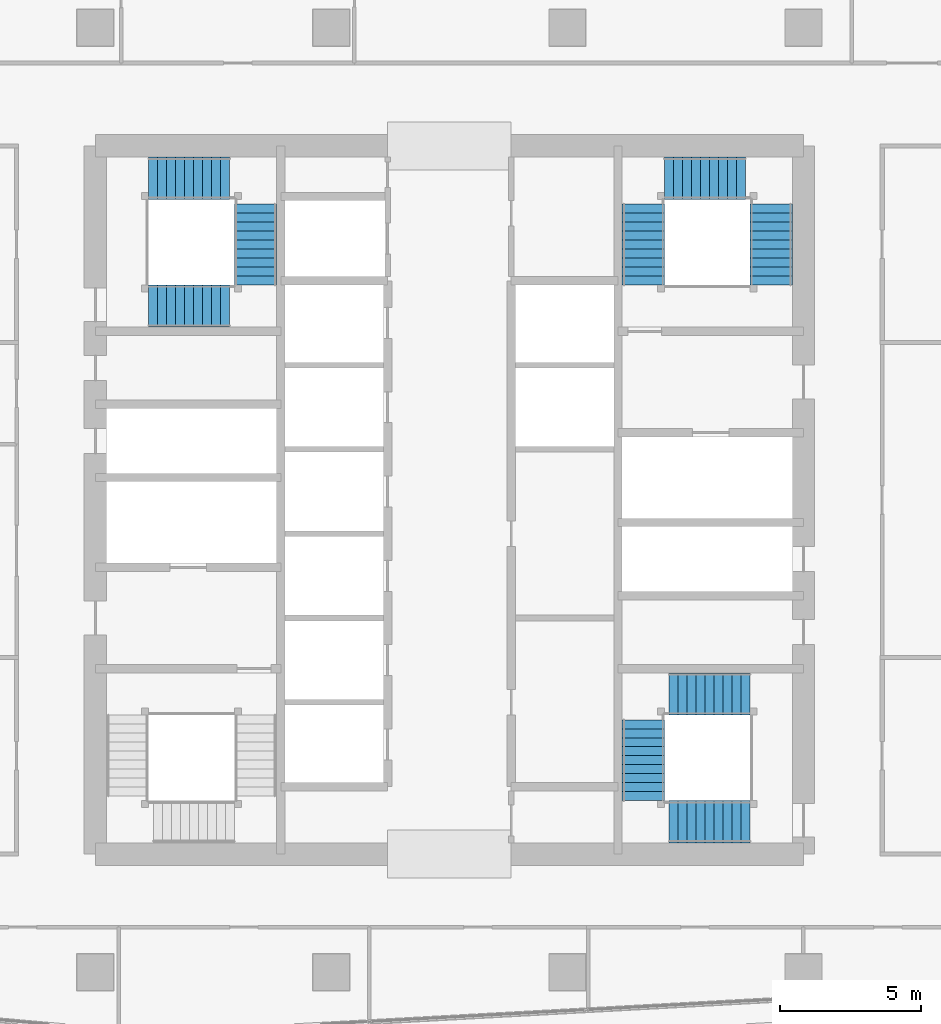
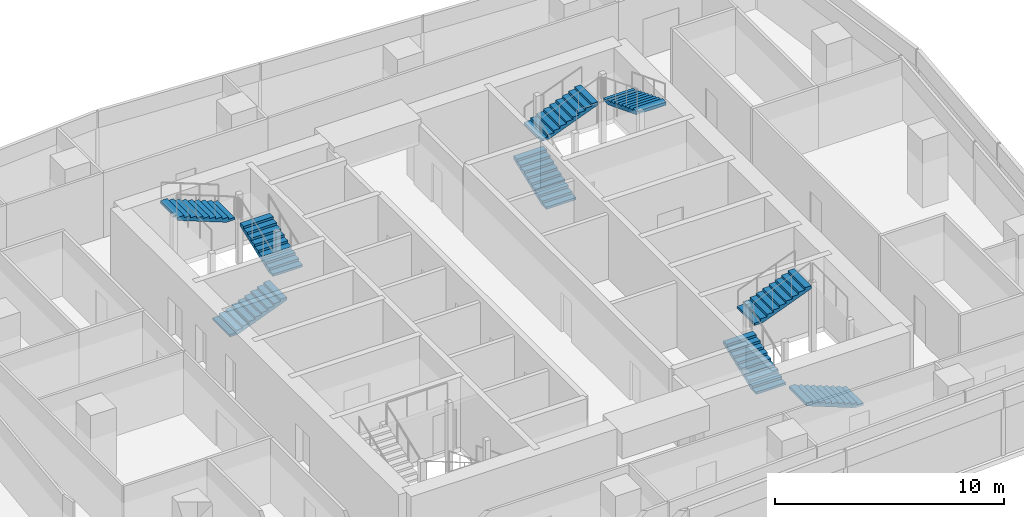
# One storey, part 25 of 30: 9 stair flights, 3 elements without a shape of their own.
"""IFC4 building model written with IfcOpenShell, lengths in metres."""

import ifcopenshell
import ifcopenshell.guid

model = None  # the IFC model being written
_history = None  # IfcOwnerHistory: only IFC2X3 demands one
_inside = {}  # id of a spatial element -> (the spatial element, [elements in it])
_under = {}  # id of a project, library or spatial element -> (it, [spatial elements below it])
_declared = {}  # id of a project -> (the project, [libraries it declares])
_typed = {}  # id of a type object -> (the type object, [elements of that type])
_made_of = {}  # id of a material, layer set ... -> (it, [elements and type objects made of it])


def new_model(schema):
    """Start an empty IFC model of exactly this schema.

    Asked for "IFC4X3", IfcOpenShell would pick the latest addendum, in which some entities
    have other attributes; the version numbers below select the first issue.
    IFC2X3 requires an IfcOwnerHistory on every rooted entity: one is made here for all.
    """
    global model, _history
    if schema == "IFC4X3":
        model = ifcopenshell.file(schema_version=(4, 3, 0, 0))
    else:
        model = ifcopenshell.file(schema=schema)
    _inside.clear()
    _under.clear()
    _declared.clear()
    _typed.clear()
    _made_of.clear()
    _history = None
    if model.schema == "IFC2X3":
        org = make("IfcOrganization", Name="unknown")
        user = make(
            "IfcPersonAndOrganization",
            ThePerson=make("IfcPerson", FamilyName="unknown"),
            TheOrganization=org,
        )
        app = make(
            "IfcApplication",
            ApplicationDeveloper=org,
            Version="unknown",
            ApplicationFullName="unknown",
            ApplicationIdentifier="unknown",
        )
        _history = make(
            "IfcOwnerHistory",
            OwningUser=user,
            OwningApplication=app,
            ChangeAction="ADDED",
            CreationDate=0,
        )
    return model


def make(cls, **values):
    """One entity of the class cls with the attributes given. An attribute that is None is left unset."""
    return model.create_entity(
        cls, **{name: value for name, value in values.items() if value is not None}
    )


def rooted(cls, **values):
    """An entity with a GlobalId (a new one), such as an element, a storey or a relation."""
    return make(cls, GlobalId=ifcopenshell.guid.new(), OwnerHistory=_history, **values)


def si_unit(unit_type, name, prefix=None):
    """IfcSIUnit, for example si_unit("LENGTHUNIT", "METRE", prefix="MILLI")."""
    return make("IfcSIUnit", UnitType=unit_type, Prefix=prefix, Name=name)


def assignment(units):
    """IfcUnitAssignment: the units of a project."""
    return None if units is None else make("IfcUnitAssignment", Units=units)


def point(xyz):
    """IfcCartesianPoint."""
    return None if xyz is None else make("IfcCartesianPoint", Coordinates=xyz)


def direction(xyz):
    """IfcDirection."""
    return None if xyz is None else make("IfcDirection", DirectionRatios=xyz)


def frame(location, z_axis=None, x_axis=None):
    """IfcAxis2Placement3D, a coordinate frame: its origin and axes. An axis left out is left unset."""
    return make(
        "IfcAxis2Placement3D",
        Location=point(location),
        Axis=direction(z_axis),
        RefDirection=direction(x_axis),
    )


def origin():
    """The frame at (0, 0, 0) with its axes left unset."""
    return frame((0.0, 0.0, 0.0))


def place(relative_to, where):
    """IfcLocalPlacement: puts the frame where relative to a parent placement (None: the world)."""
    return make(
        "IfcLocalPlacement", PlacementRelTo=relative_to, RelativePlacement=where
    )


def context(
    kind, dimensions, precision=None, world=None, true_north=None, identifier=None
):
    """IfcGeometricRepresentationContext, for example the 3D "Model" context."""
    return make(
        "IfcGeometricRepresentationContext",
        ContextIdentifier=identifier,
        ContextType=kind,
        CoordinateSpaceDimension=dimensions,
        Precision=precision,
        WorldCoordinateSystem=world,
        TrueNorth=true_north,
    )


def subcontext(parent, identifier, kind, view, scale=None):
    """IfcGeometricRepresentationSubContext, for example "Body" below "Model"."""
    return make(
        "IfcGeometricRepresentationSubContext",
        ContextIdentifier=identifier,
        ContextType=kind,
        ParentContext=parent,
        TargetScale=scale,
        TargetView=view,
    )


def project(units=None, contexts=None):
    """IfcProject with its units and contexts."""
    return rooted(
        "IfcProject",
        Name="project",
        RepresentationContexts=contexts,
        UnitsInContext=assignment(units),
    )


def spatial(cls, under=None, at=None, **own):
    """A site, building, storey or space (cls), placed at a placement, below another one or the project."""
    s = rooted(cls, ObjectPlacement=at, **own)
    if under is not None:
        _under.setdefault(under.id(), (under, []))[1].append(s)
    return s


def polyline(points):
    """IfcPolyline through the points."""
    return make("IfcPolyline", Points=[point(p) for p in points])


def outline(outer, holes=None, kind="AREA"):
    """IfcArbitraryClosedProfileDef: a profile drawn as a closed curve; with holes, ...WithVoids."""
    if holes is None:
        return make("IfcArbitraryClosedProfileDef", ProfileType=kind, OuterCurve=outer)
    return make(
        "IfcArbitraryProfileDefWithVoids",
        ProfileType=kind,
        OuterCurve=outer,
        InnerCurves=holes,
    )


def extrude(swept, where, along, depth):
    """IfcExtrudedAreaSolid: the profile swept, set in the frame where, extruded along a direction by depth."""
    return make(
        "IfcExtrudedAreaSolid",
        SweptArea=swept,
        Position=where,
        ExtrudedDirection=direction(along),
        Depth=depth,
    )


def shape(context_of_items, identifier, shape_type, items):
    """IfcShapeRepresentation: the items that make up one representation, for example the "Body"."""
    return make(
        "IfcShapeRepresentation",
        ContextOfItems=context_of_items,
        RepresentationIdentifier=identifier,
        RepresentationType=shape_type,
        Items=items,
    )


def material(Name=None, Category=None):
    """IfcMaterial."""
    return make("IfcMaterial", Name=Name, Category=Category)


def made_of(thing, what):
    """Note that an element or type object is made of a material, layer set ...; save() writes the relation."""
    if what is not None:
        _made_of.setdefault(what.id(), (what, []))[1].append(thing)
    return thing


def type_object(cls, material=None, **own):
    """A type object (cls), such as IfcWallType, which elements share."""
    return made_of(rooted(cls, **own), material)


def element(
    cls,
    number,
    at=None,
    inside=None,
    cuts=None,
    type_object=None,
    material=None,
    context=None,
    identifier="Body",
    shape_type=None,
    held_by="IfcProductDefinitionShape",
    body=None,
    shapes=None,
    **own,
):
    """One element of the class cls, such as IfcWall. Its Tag is "e" and its number.

    at: its placement. inside: the storey or other place that contains it. cuts: it is an
    opening in that element (IfcRelVoidsElement). A single representation is given by context,
    identifier, shape_type and body (its items); several are given by shapes. held_by: the class
    of the entity that holds the representations. save() writes the other relations.
    """
    e = rooted(cls, Tag="e%d" % number, ObjectPlacement=at, **own)
    if body is not None:
        shapes = [shape(context, identifier, shape_type, body)]
    if shapes is not None:
        e.Representation = make(held_by, Representations=shapes)
    if inside is not None:
        _inside.setdefault(inside.id(), (inside, []))[1].append(e)
    if cuts is not None:
        rooted(
            "IfcRelVoidsElement", RelatingBuildingElement=cuts, RelatedOpeningElement=e
        )
    if type_object is not None:
        _typed.setdefault(type_object.id(), (type_object, []))[1].append(e)
    return made_of(e, material)


def aggregate(whole, parts):
    """IfcRelAggregates: a whole, such as a stair, and the parts it consists of."""
    return rooted("IfcRelAggregates", RelatingObject=whole, RelatedObjects=parts)


def save(model, path):
    """Write the relations noted so far, then the file.

    IfcRelAggregates (storeys below a building ...), IfcRelContainedInSpatialStructure (elements
    in a storey), IfcRelDefinesByType, IfcRelAssociatesMaterial and IfcRelDeclares: one each for
    every whole, place, type object, material and project.
    """
    for whole, parts in _under.values():
        aggregate(whole, parts)
    for where, things in _inside.values():
        rooted(
            "IfcRelContainedInSpatialStructure",
            RelatedElements=things,
            RelatingStructure=where,
        )
    for kind, things in _typed.values():
        rooted("IfcRelDefinesByType", RelatedObjects=things, RelatingType=kind)
    for what, things in _made_of.values():
        rooted("IfcRelAssociatesMaterial", RelatedObjects=things, RelatingMaterial=what)
    for by, libraries in _declared.values():
        rooted("IfcRelDeclares", RelatingContext=by, RelatedDefinitions=libraries)
    model.write(path)


model = new_model("IFC4")

# Units and contexts
model_context = context("Model", 3, precision=1e-05, world=origin(), true_north=direction((0.0, 1.0)))
body_context = subcontext(model_context, "Body", "Model", "MODEL_VIEW")
ifc_project = project(units=[si_unit("LENGTHUNIT", "METRE"), si_unit("AREAUNIT", "SQUARE_METRE"), si_unit("VOLUMEUNIT", "CUBIC_METRE"), si_unit("PLANEANGLEUNIT", "RADIAN"), si_unit("MASSUNIT", "GRAM", prefix="KILO")], contexts=[model_context])

# Site, building, storey
site_placement = place(None, origin())
site = spatial("IfcSite", under=ifc_project, at=site_placement, CompositionType="ELEMENT")
building_placement = place(site_placement, origin())
building = spatial("IfcBuilding", under=site, at=building_placement, Name="Rekha Terrace Tower", CompositionType="ELEMENT")
storey_placement = place(building_placement, frame((0.0, 0.0, 287.60009765625)))
storey = spatial("IfcBuildingStorey", under=building, at=storey_placement, Name="L73", CompositionType="ELEMENT", Elevation=287.60009765625)

# Stair, stair flights
ifc_material = material(Name="Concrete M40", Category="concrete")
stair_type = type_object("IfcStairType", Name="ST30 stair, 30 risers of 125, going 320, 1500 wide flights, 3 flights", PredefinedType="HALF_TURN_STAIR", material=ifc_material)
stair_1_placement = place(storey_placement, origin())
stair_1 = element("IfcStair", 1, at=stair_1_placement, inside=storey, type_object=stair_type, Name="Stair ST2 L73 to L74", PredefinedType="HALF_TURN_STAIR")
stair_flight_type = type_object("IfcStairFlightType", Name="SF10 stair flight, 10 risers of 125, going 320, 1500 wide", PredefinedType="STRAIGHT", material=ifc_material)
stair_flight_1_placement = place(storey_placement, frame((44.699951171875, 41.25, 0.0), z_axis=(0.0, 0.0, 1.0), x_axis=(0.0, 1.0, 0.0)))
stair_flight_1 = element("IfcStairFlight", 2, at=stair_flight_1_placement, type_object=stair_flight_type, Name="ST2 flight 1", NumberOfRisers=10, NumberOfTreads=9, PredefinedType="STRAIGHT", RiserHeight=0.125, TreadLength=0.32, context=body_context, shape_type="SweptSolid", body=[
    extrude(outline(polyline([(0.0, 0.0), (0.0, 0.125), (0.320068359375, 0.125), (0.320068359375, 0.25), (0.639892578125, 0.25), (0.639892578125, 0.375), (0.9599609375, 0.375), (0.9599609375, 0.5), (1.280029296875, 0.5), (1.280029296875, 0.625), (1.60009765625, 0.625), (1.60009765625, 0.75), (1.919921875, 0.75), (1.919921875, 0.875), (2.239990234375, 0.875), (2.239990234375, 1.0), (2.56005859375, 1.0), (2.56005859375, 1.125), (2.8798828125, 1.125), (2.8798828125, 1.25), (2.8798828125, 0.964111328125), (0.412109375, 0.0), (0.0, 0.0)])), frame((0.0, 0.75, 0.0), z_axis=(0.0, -1.0, 0.0), x_axis=(1.0, 0.0, 0.0)), (0.0, 0.0, 1.0), 1.5),
])
stair_flight_2_placement = place(storey_placement, frame((45.449951171875, 45.050048828125, 1.25), z_axis=(0.0, 0.0, 1.0), x_axis=(1.0, 0.0, 0.0)))
stair_flight_2 = element("IfcStairFlight", 3, at=stair_flight_2_placement, type_object=stair_flight_type, Name="ST2 flight 2", NumberOfRisers=10, NumberOfTreads=9, PredefinedType="STRAIGHT", RiserHeight=0.125, TreadLength=0.32, context=body_context, shape_type="SweptSolid", body=[
    extrude(outline(polyline([(0.0, 0.0), (0.0, 0.125), (0.320068359375, 0.125), (0.320068359375, 0.25), (0.639892578125, 0.25), (0.639892578125, 0.375), (0.9599609375, 0.375), (0.9599609375, 0.5), (1.280029296875, 0.5), (1.280029296875, 0.625), (1.60009765625, 0.625), (1.60009765625, 0.75), (1.919921875, 0.75), (1.919921875, 0.875), (2.239990234375, 0.875), (2.239990234375, 1.0), (2.56005859375, 1.0), (2.56005859375, 1.125), (2.8798828125, 1.125), (2.8798828125, 1.25), (2.8798828125, 0.964111328125), (0.412109375, 0.0), (0.0, 0.0)])), frame((0.0, 0.75, 0.0), z_axis=(0.0, -1.0, 0.0), x_axis=(1.0, 0.0, 0.0)), (0.0, 0.0, 1.0), 1.5),
])
stair_flight_3_placement = place(storey_placement, frame((49.25, 44.1298828125, 2.5), z_axis=(0.0, 0.0, 1.0), x_axis=(0.0, -1.0, 0.0)))
stair_flight_3 = element("IfcStairFlight", 4, at=stair_flight_3_placement, type_object=stair_flight_type, Name="ST2 flight 3", NumberOfRisers=10, NumberOfTreads=9, PredefinedType="STRAIGHT", RiserHeight=0.125, TreadLength=0.32, context=body_context, shape_type="SweptSolid", body=[
    extrude(outline(polyline([(0.0, 0.0), (0.0, 0.125), (0.320068359375, 0.125), (0.320068359375, 0.25), (0.639892578125, 0.25), (0.639892578125, 0.375), (0.9599609375, 0.375), (0.9599609375, 0.5), (1.280029296875, 0.5), (1.280029296875, 0.625), (1.60009765625, 0.625), (1.60009765625, 0.75), (1.919921875, 0.75), (1.919921875, 0.875), (2.239990234375, 0.875), (2.239990234375, 1.0), (2.56005859375, 1.0), (2.56005859375, 1.125), (2.8798828125, 1.125), (2.8798828125, 1.25), (2.8798828125, 0.964111328125), (0.412109375, 0.0), (0.0, 0.0)])), frame((0.0, 0.75, 0.0), z_axis=(0.0, -1.0, 0.0), x_axis=(1.0, 0.0, 0.0)), (0.0, 0.0, 1.0), 1.5),
])
aggregate(stair_1, [stair_flight_1, stair_flight_2, stair_flight_3])

stair_2_placement = place(storey_placement, origin())
stair_2 = element("IfcStair", 5, at=stair_2_placement, inside=storey, type_object=stair_type, Name="Stair ST3 L73 to L74", PredefinedType="HALF_TURN_STAIR")
stair_flight_4_placement = place(storey_placement, frame((48.5, 22.14990234375, 0.0), z_axis=(0.0, 0.0, 1.0), x_axis=(-1.0, 0.0, 0.0)))
stair_flight_4 = element("IfcStairFlight", 6, at=stair_flight_4_placement, type_object=stair_flight_type, Name="ST3 flight 1", NumberOfRisers=10, NumberOfTreads=9, PredefinedType="STRAIGHT", RiserHeight=0.125, TreadLength=0.32, context=body_context, shape_type="SweptSolid", body=[
    extrude(outline(polyline([(0.0, 0.0), (0.0, 0.125), (0.320068359375, 0.125), (0.320068359375, 0.25), (0.639892578125, 0.25), (0.639892578125, 0.375), (0.9599609375, 0.375), (0.9599609375, 0.5), (1.280029296875, 0.5), (1.280029296875, 0.625), (1.60009765625, 0.625), (1.60009765625, 0.75), (1.919921875, 0.75), (1.919921875, 0.875), (2.239990234375, 0.875), (2.239990234375, 1.0), (2.56005859375, 1.0), (2.56005859375, 1.125), (2.8798828125, 1.125), (2.8798828125, 1.25), (2.8798828125, 0.964111328125), (0.412109375, 0.0), (0.0, 0.0)])), frame((0.0, 0.75, 0.0), z_axis=(0.0, -1.0, 0.0), x_axis=(1.0, 0.0, 0.0)), (0.0, 0.0, 1.0), 1.5),
])
stair_flight_5_placement = place(storey_placement, frame((44.699951171875, 22.89990234375, 1.25), z_axis=(0.0, 0.0, 1.0), x_axis=(0.0, 1.0, 0.0)))
stair_flight_5 = element("IfcStairFlight", 7, at=stair_flight_5_placement, type_object=stair_flight_type, Name="ST3 flight 2", NumberOfRisers=10, NumberOfTreads=9, PredefinedType="STRAIGHT", RiserHeight=0.125, TreadLength=0.32, context=body_context, shape_type="SweptSolid", body=[
    extrude(outline(polyline([(0.0, 0.0), (0.0, 0.125), (0.320068359375, 0.125), (0.320068359375, 0.25), (0.639892578125, 0.25), (0.639892578125, 0.375), (0.9599609375, 0.375), (0.9599609375, 0.5), (1.280029296875, 0.5), (1.280029296875, 0.625), (1.60009765625, 0.625), (1.60009765625, 0.75), (1.919921875, 0.75), (1.919921875, 0.875), (2.239990234375, 0.875), (2.239990234375, 1.0), (2.56005859375, 1.0), (2.56005859375, 1.125), (2.8798828125, 1.125), (2.8798828125, 1.25), (2.8798828125, 0.964111328125), (0.412109375, 0.0), (0.0, 0.0)])), frame((0.0, 0.75, 0.0), z_axis=(0.0, -1.0, 0.0), x_axis=(1.0, 0.0, 0.0)), (0.0, 0.0, 1.0), 1.5),
])
stair_flight_6_placement = place(storey_placement, frame((45.6201171875, 26.699951171875, 2.5), z_axis=(0.0, 0.0, 1.0), x_axis=(1.0, 0.0, 0.0)))
stair_flight_6 = element("IfcStairFlight", 8, at=stair_flight_6_placement, type_object=stair_flight_type, Name="ST3 flight 3", NumberOfRisers=10, NumberOfTreads=9, PredefinedType="STRAIGHT", RiserHeight=0.125, TreadLength=0.32, context=body_context, shape_type="SweptSolid", body=[
    extrude(outline(polyline([(0.0, 0.0), (0.0, 0.125), (0.320068359375, 0.125), (0.320068359375, 0.25), (0.639892578125, 0.25), (0.639892578125, 0.375), (0.9599609375, 0.375), (0.9599609375, 0.5), (1.280029296875, 0.5), (1.280029296875, 0.625), (1.60009765625, 0.625), (1.60009765625, 0.75), (1.919921875, 0.75), (1.919921875, 0.875), (2.239990234375, 0.875), (2.239990234375, 1.0), (2.56005859375, 1.0), (2.56005859375, 1.125), (2.8798828125, 1.125), (2.8798828125, 1.25), (2.8798828125, 0.964111328125), (0.412109375, 0.0), (0.0, 0.0)])), frame((0.0, 0.75, 0.0), z_axis=(0.0, -1.0, 0.0), x_axis=(1.0, 0.0, 0.0)), (0.0, 0.0, 1.0), 1.5),
])
aggregate(stair_2, [stair_flight_4, stair_flight_5, stair_flight_6])

stair_3_placement = place(storey_placement, origin())
stair_3 = element("IfcStair", 9, at=stair_3_placement, inside=storey, type_object=stair_type, Name="Stair ST4 L73 to L74", PredefinedType="HALF_TURN_STAIR")
stair_flight_7_placement = place(storey_placement, frame((27.10009765625, 40.5, 0.0), z_axis=(0.0, 0.0, 1.0), x_axis=(1.0, 0.0, 0.0)))
stair_flight_7 = element("IfcStairFlight", 10, at=stair_flight_7_placement, type_object=stair_flight_type, Name="ST4 flight 1", NumberOfRisers=10, NumberOfTreads=9, PredefinedType="STRAIGHT", RiserHeight=0.125, TreadLength=0.32, context=body_context, shape_type="SweptSolid", body=[
    extrude(outline(polyline([(0.0, 0.0), (0.0, 0.125), (0.320068359375, 0.125), (0.320068359375, 0.25), (0.639892578125, 0.25), (0.639892578125, 0.375), (0.9599609375, 0.375), (0.9599609375, 0.5), (1.280029296875, 0.5), (1.280029296875, 0.625), (1.60009765625, 0.625), (1.60009765625, 0.75), (1.919921875, 0.75), (1.919921875, 0.875), (2.239990234375, 0.875), (2.239990234375, 1.0), (2.56005859375, 1.0), (2.56005859375, 1.125), (2.8798828125, 1.125), (2.8798828125, 1.25), (2.8798828125, 0.964111328125), (0.412109375, 0.0), (0.0, 0.0)])), frame((0.0, 0.75, 0.0), z_axis=(0.0, -1.0, 0.0), x_axis=(1.0, 0.0, 0.0)), (0.0, 0.0, 1.0), 1.5),
])
stair_flight_8_placement = place(storey_placement, frame((30.89990234375, 41.25, 1.25), z_axis=(0.0, 0.0, 1.0), x_axis=(0.0, 1.0, 0.0)))
stair_flight_8 = element("IfcStairFlight", 11, at=stair_flight_8_placement, type_object=stair_flight_type, Name="ST4 flight 2", NumberOfRisers=10, NumberOfTreads=9, PredefinedType="STRAIGHT", RiserHeight=0.125, TreadLength=0.32, context=body_context, shape_type="SweptSolid", body=[
    extrude(outline(polyline([(0.0, 0.0), (0.0, 0.125), (0.320068359375, 0.125), (0.320068359375, 0.25), (0.639892578125, 0.25), (0.639892578125, 0.375), (0.9599609375, 0.375), (0.9599609375, 0.5), (1.280029296875, 0.5), (1.280029296875, 0.625), (1.60009765625, 0.625), (1.60009765625, 0.75), (1.919921875, 0.75), (1.919921875, 0.875), (2.239990234375, 0.875), (2.239990234375, 1.0), (2.56005859375, 1.0), (2.56005859375, 1.125), (2.8798828125, 1.125), (2.8798828125, 1.25), (2.8798828125, 0.964111328125), (0.412109375, 0.0), (0.0, 0.0)])), frame((0.0, 0.75, 0.0), z_axis=(0.0, -1.0, 0.0), x_axis=(1.0, 0.0, 0.0)), (0.0, 0.0, 1.0), 1.5),
])
stair_flight_9_placement = place(storey_placement, frame((29.97998046875, 45.050048828125, 2.5), z_axis=(0.0, 0.0, 1.0), x_axis=(-1.0, 0.0, 0.0)))
stair_flight_9 = element("IfcStairFlight", 12, at=stair_flight_9_placement, type_object=stair_flight_type, Name="ST4 flight 3", NumberOfRisers=10, NumberOfTreads=9, PredefinedType="STRAIGHT", RiserHeight=0.125, TreadLength=0.32, context=body_context, shape_type="SweptSolid", body=[
    extrude(outline(polyline([(0.0, 0.0), (0.0, 0.125), (0.320068359375, 0.125), (0.320068359375, 0.25), (0.639892578125, 0.25), (0.639892578125, 0.375), (0.9599609375, 0.375), (0.9599609375, 0.5), (1.280029296875, 0.5), (1.280029296875, 0.625), (1.60009765625, 0.625), (1.60009765625, 0.75), (1.919921875, 0.75), (1.919921875, 0.875), (2.239990234375, 0.875), (2.239990234375, 1.0), (2.56005859375, 1.0), (2.56005859375, 1.125), (2.8798828125, 1.125), (2.8798828125, 1.25), (2.8798828125, 0.964111328125), (0.412109375, 0.0), (0.0, 0.0)])), frame((0.0, 0.75, 0.0), z_axis=(0.0, -1.0, 0.0), x_axis=(1.0, 0.0, 0.0)), (0.0, 0.0, 1.0), 1.5),
])
aggregate(stair_3, [stair_flight_7, stair_flight_8, stair_flight_9])

save(model, "model.ifc")
